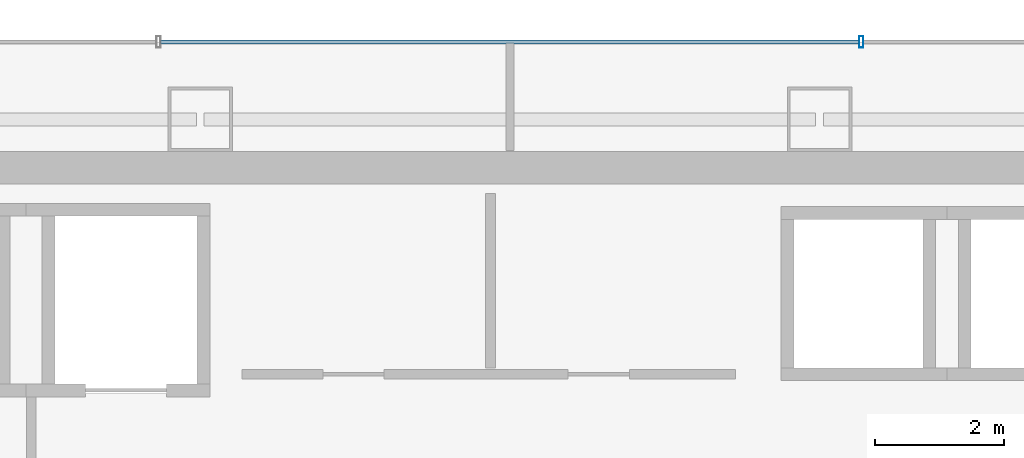
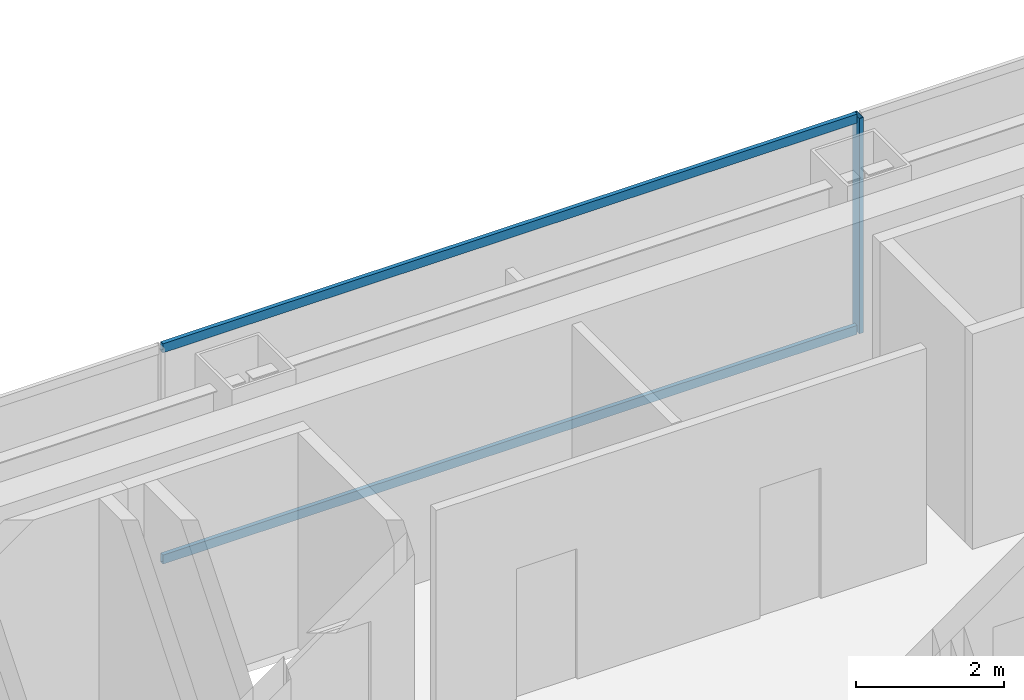
# One storey, part 17 of 31: 3 members, 1 element without a shape of its own.
"""IFC4 building model written with IfcOpenShell, lengths in metres."""

from ifc_helpers import new_model, si_unit, direction, frame, origin, origin_2d, place, context, subcontext, project, spatial, hollow_rectangle, extrude, material, material_profile, profile_set, type_object, element, aggregate, save


model = new_model("IFC4")

# Units and contexts
model_context = context("Model", 3, precision=1e-05, world=origin(), true_north=direction((0.0, 1.0)))
body_context = subcontext(model_context, "Body", "Model", "MODEL_VIEW")
ifc_project = project(units=[si_unit("LENGTHUNIT", "METRE"), si_unit("AREAUNIT", "SQUARE_METRE"), si_unit("VOLUMEUNIT", "CUBIC_METRE"), si_unit("PLANEANGLEUNIT", "RADIAN"), si_unit("MASSUNIT", "GRAM", prefix="KILO")], contexts=[model_context])

# Site, building, storey
site_placement = place(None, origin())
site = spatial("IfcSite", under=ifc_project, at=site_placement, CompositionType="ELEMENT")
building_placement = place(site_placement, origin())
building = spatial("IfcBuilding", under=site, at=building_placement, Name="Saevonmaru Cultural Tower", CompositionType="ELEMENT")
storey_placement = place(building_placement, frame((0.0, 0.0, 167.60009765625)))
storey = spatial("IfcBuildingStorey", under=building, at=storey_placement, Name="L37", CompositionType="ELEMENT", Elevation=167.60009765625)

# Curtain wall, members
ifc_material = material(Name="Satin Bronze Anodised Aluminium", Category="aluminium")
curtain_wall_type = type_object("IfcCurtainWallType", Name="CW-TYP-A", PredefinedType="NOTDEFINED", material=ifc_material)
curtain_wall_placement = place(storey_placement, origin())
curtain_wall = element("IfcCurtainWall", 1, at=curtain_wall_placement, inside=storey, type_object=curtain_wall_type, Name="L37 North Spine Unitised Curtain Wall E10B", PredefinedType="NOTDEFINED")
ifc_material_profile_1 = material_profile(ifc_material, hollow_rectangle(XDim=0.06494140625, YDim=0.179931640625, WallThickness=0.00390625, at=origin_2d()), Name="ALU-MULL-180x65x4")
ifc_profile_set_1 = profile_set([ifc_material_profile_1], Name="Satin Bronze Anodised Aluminium")
member_type_1 = type_object("IfcMemberType", Name="ML-CW-180x65", PredefinedType="MULLION", material=ifc_profile_set_1)
member_1_placement = place(storey_placement, frame((35.44677734375, 56.0, 0.0), z_axis=(0.0, 0.0, 1.0), x_axis=(-1.0, 0.0, 0.0)))
member_1 = element("IfcMember", 2, at=member_1_placement, type_object=member_type_1, Name="CW-TW-L37-E10B mullion 2", PredefinedType="MULLION", context=body_context, shape_type="SweptSolid", body=[
    extrude(hollow_rectangle(XDim=0.06494140625, YDim=0.179931640625, WallThickness=0.00390625, at=origin_2d()), origin(), (0.0, 0.0, 1.0), 3.5498046875),
])
ifc_material_profile_2 = material_profile(ifc_material, hollow_rectangle(XDim=0.06494140625, YDim=0.14990234375, WallThickness=0.00390625, at=origin_2d()), Name="ALU-TRAN-150x65x4")
ifc_profile_set_2 = profile_set([ifc_material_profile_2], Name="Satin Bronze Anodised Aluminium")
member_type_2 = type_object("IfcMemberType", Name="TR-CW-150x65", PredefinedType="USERDEFINED", material=ifc_profile_set_2)
member_2_placement = place(storey_placement, frame((35.4140625, 56.0, 0.032470703125), z_axis=(-1.0, 0.0, 0.0), x_axis=(0.0, -1.0, 0.0)))
member_2 = element("IfcMember", 3, at=member_2_placement, type_object=member_type_2, Name="CW-TW-L37-E10B transom 2.1", ObjectType="TRANSOM", PredefinedType="USERDEFINED", context=body_context, shape_type="SweptSolid", body=[
    extrude(hollow_rectangle(XDim=0.06494140625, YDim=0.14990234375, WallThickness=0.00390625, at=origin_2d()), origin(), (0.0, 0.0, 1.0), 10.828125),
])
member_3_placement = place(storey_placement, frame((35.4140625, 56.0, 3.517333984375), z_axis=(-1.0, 0.0, 0.0), x_axis=(0.0, -1.0, 0.0)))
member_3 = element("IfcMember", 4, at=member_3_placement, type_object=member_type_2, Name="CW-TW-L37-E10B transom 2.2", ObjectType="TRANSOM", PredefinedType="USERDEFINED", context=body_context, shape_type="SweptSolid", body=[
    extrude(hollow_rectangle(XDim=0.06494140625, YDim=0.14990234375, WallThickness=0.00390625, at=origin_2d()), origin(), (0.0, 0.0, 1.0), 10.828125),
])
aggregate(curtain_wall, [member_1, member_2, member_3])

save(model, "model.ifc")
